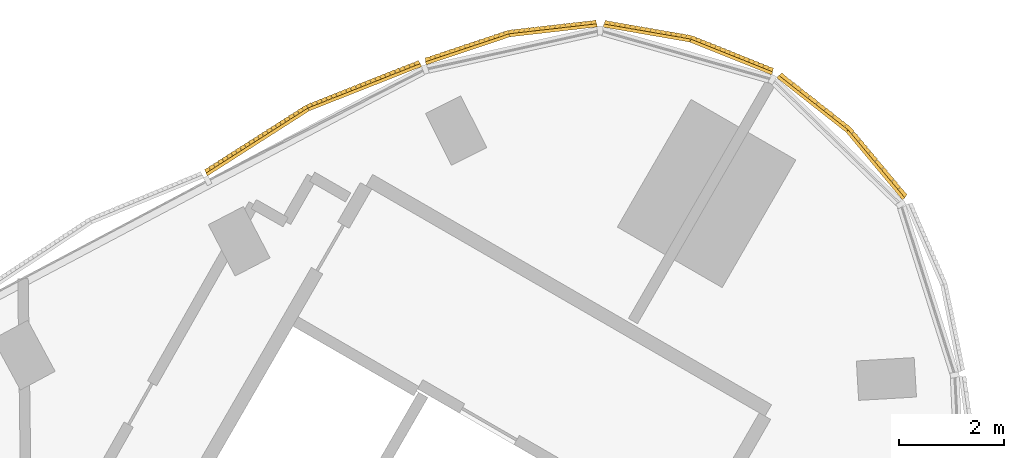
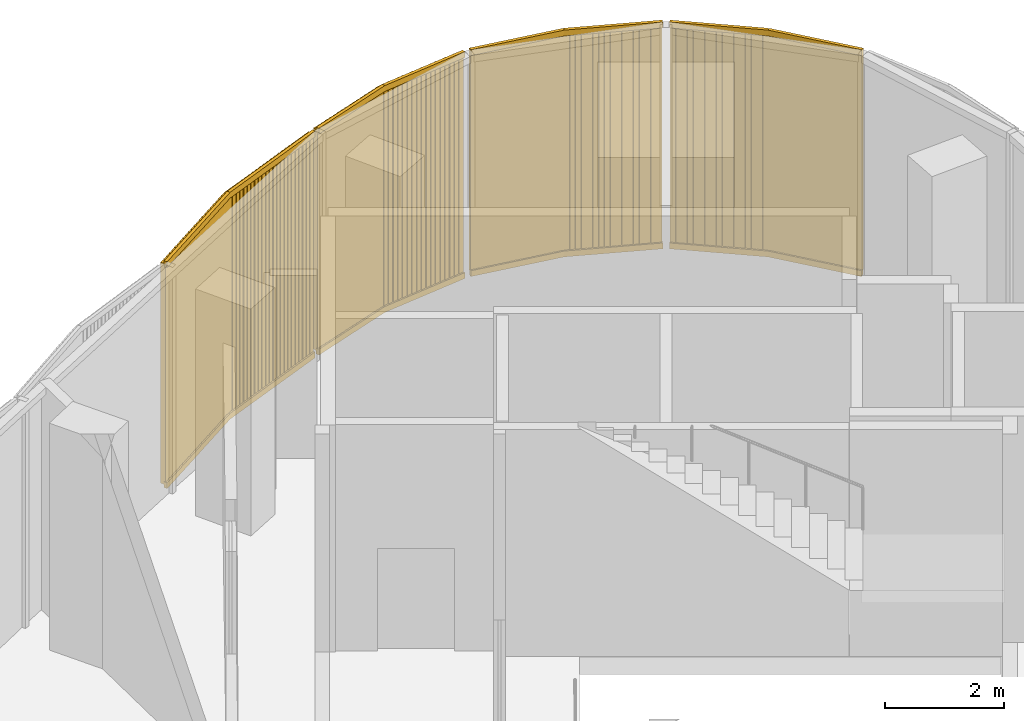
# One storey, part 15 of 15: 4 coverings.
"""IFC4 building model written with IfcOpenShell, lengths in metres."""

from ifc_helpers import new_model, si_unit, direction, frame, frame_2d, origin, place, context, subcontext, project, spatial, rectangle, extrude, source, transform, mapped, material, type_object, element, save


model = new_model("IFC4")

# Units and contexts
model_context = context("Model", 3, precision=1e-05, world=origin(), true_north=direction((0.0, 1.0)))
body_context = subcontext(model_context, "Body", "Model", "MODEL_VIEW")
ifc_project = project(units=[si_unit("LENGTHUNIT", "METRE"), si_unit("AREAUNIT", "SQUARE_METRE"), si_unit("VOLUMEUNIT", "CUBIC_METRE"), si_unit("PLANEANGLEUNIT", "RADIAN"), si_unit("MASSUNIT", "GRAM", prefix="KILO")], contexts=[model_context])

# Site, building, storey
site_placement = place(None, origin())
site = spatial("IfcSite", under=ifc_project, at=site_placement, CompositionType="ELEMENT")
building_placement = place(site_placement, origin())
building = spatial("IfcBuilding", under=site, at=building_placement, Name="Tamra Quay Hotel Tower", CompositionType="ELEMENT")
storey_placement = place(building_placement, frame((0.0, 0.0, 216.39990234375)))
storey = spatial("IfcBuildingStorey", under=building, at=storey_placement, Name="L54", CompositionType="ELEMENT", Elevation=216.39990234375)

# Coverings
ifc_material = material(Name="Terracotta baguette extruded", Category="masonry")
covering_type_1 = type_object("IfcCoveringType", Name="BAGUETTE SCREEN CORNER-SHALLOW H4650", PredefinedType="USERDEFINED", material=ifc_material)
shared_shape_1 = source(origin(), body_context, "Body", "SweptSolid", [
    extrude(rectangle(XDim=1.671630859375, YDim=0.06005859375, at=frame_2d((0.8359375, 0.030029296875))), frame((-1.668701171875, -0.0576171875, -0.1201171875), z_axis=(0.0, 0.0, 1.0), x_axis=(0.994521895368, -0.104528463268, 0.0)), (0.0, 0.0, 1.0), 0.1201171875),
    extrude(rectangle(XDim=1.671630859375, YDim=0.06005859375, at=frame_2d((0.8359375, 0.030029296875))), frame((-1.668701171875, -0.0576171875, -4.64990234375), z_axis=(0.0, 0.0, 1.0), x_axis=(0.994521895368, -0.104528463268, 0.0)), (0.0, 0.0, 1.0), 0.1201171875),
    extrude(rectangle(XDim=0.094970703125, YDim=0.10009765625, at=frame_2d((0.04736328125, 0.050048828125))), frame((-1.6611328125, -0.133056640625, -4.590087890625)), (0.0, 0.0, 1.0), 4.530029296875),
    extrude(rectangle(XDim=0.094970703125, YDim=0.10009765625, at=frame_2d((0.04736328125, 0.050048828125))), frame((-1.563232421875, -0.143310546875, -4.590087890625)), (0.0, 0.0, 1.0), 4.530029296875),
    extrude(rectangle(XDim=0.094970703125, YDim=0.10009765625, at=frame_2d((0.04736328125, 0.050048828125))), frame((-1.465576171875, -0.15380859375, -4.590087890625)), (0.0, 0.0, 1.0), 4.530029296875),
    extrude(rectangle(XDim=0.094970703125, YDim=0.10009765625, at=frame_2d((0.04736328125, 0.050048828125))), frame((-1.36767578125, -0.1640625, -4.590087890625)), (0.0, 0.0, 1.0), 4.530029296875),
    extrude(rectangle(XDim=0.094970703125, YDim=0.10009765625, at=frame_2d((0.04736328125, 0.050048828125))), frame((-1.27001953125, -0.17431640625, -4.590087890625)), (0.0, 0.0, 1.0), 4.530029296875),
    extrude(rectangle(XDim=0.094970703125, YDim=0.10009765625, at=frame_2d((0.04736328125, 0.050048828125))), frame((-1.172119140625, -0.1845703125, -4.590087890625)), (0.0, 0.0, 1.0), 4.530029296875),
    extrude(rectangle(XDim=0.094970703125, YDim=0.10009765625, at=frame_2d((0.04736328125, 0.050048828125))), frame((-1.07421875, -0.19482421875, -4.590087890625)), (0.0, 0.0, 1.0), 4.530029296875),
    extrude(rectangle(XDim=0.094970703125, YDim=0.10009765625, at=frame_2d((0.04736328125, 0.050048828125))), frame((-0.9765625, -0.205078125, -4.590087890625)), (0.0, 0.0, 1.0), 4.530029296875),
    extrude(rectangle(XDim=0.094970703125, YDim=0.10009765625, at=frame_2d((0.04736328125, 0.050048828125))), frame((-0.878662109375, -0.21533203125, -4.590087890625)), (0.0, 0.0, 1.0), 4.530029296875),
    extrude(rectangle(XDim=0.094970703125, YDim=0.10009765625, at=frame_2d((0.04736328125, 0.050048828125))), frame((-0.781005859375, -0.2255859375, -4.590087890625)), (0.0, 0.0, 1.0), 4.530029296875),
    extrude(rectangle(XDim=0.094970703125, YDim=0.10009765625, at=frame_2d((0.04736328125, 0.050048828125))), frame((-0.68310546875, -0.23583984375, -4.590087890625)), (0.0, 0.0, 1.0), 4.530029296875),
    extrude(rectangle(XDim=0.094970703125, YDim=0.10009765625, at=frame_2d((0.04736328125, 0.050048828125))), frame((-0.58544921875, -0.24609375, -4.590087890625)), (0.0, 0.0, 1.0), 4.530029296875),
    extrude(rectangle(XDim=0.094970703125, YDim=0.10009765625, at=frame_2d((0.04736328125, 0.050048828125))), frame((-0.487548828125, -0.256591796875, -4.590087890625)), (0.0, 0.0, 1.0), 4.530029296875),
    extrude(rectangle(XDim=0.094970703125, YDim=0.10009765625, at=frame_2d((0.04736328125, 0.050048828125))), frame((-0.389892578125, -0.266845703125, -4.590087890625)), (0.0, 0.0, 1.0), 4.530029296875),
    extrude(rectangle(XDim=0.094970703125, YDim=0.10009765625, at=frame_2d((0.04736328125, 0.050048828125))), frame((-0.2919921875, -0.277099609375, -4.590087890625)), (0.0, 0.0, 1.0), 4.530029296875),
    extrude(rectangle(XDim=0.094970703125, YDim=0.10009765625, at=frame_2d((0.04736328125, 0.050048828125))), frame((-0.194091796875, -0.287353515625, -4.590087890625)), (0.0, 0.0, 1.0), 4.530029296875),
    extrude(rectangle(XDim=0.094970703125, YDim=0.10009765625, at=frame_2d((0.04736328125, 0.050048828125))), frame((-0.096435546875, -0.297607421875, -4.590087890625)), (0.0, 0.0, 1.0), 4.530029296875),
    extrude(rectangle(XDim=1.671630859375, YDim=0.06005859375, at=frame_2d((0.8359375, 0.030029296875))), frame((0.00634765625, -0.232421875, -0.1201171875), z_axis=(0.0, 0.0, 1.0), x_axis=(0.994521895368, 0.104528463268, 0.0)), (0.0, 0.0, 1.0), 0.1201171875),
    extrude(rectangle(XDim=1.671630859375, YDim=0.06005859375, at=frame_2d((0.8359375, 0.030029296875))), frame((0.00634765625, -0.232421875, -4.64990234375), z_axis=(0.0, 0.0, 1.0), x_axis=(0.994521895368, 0.104528463268, 0.0)), (0.0, 0.0, 1.0), 0.1201171875),
    extrude(rectangle(XDim=0.094970703125, YDim=0.10009765625, at=frame_2d((0.04736328125, 0.050048828125))), frame((0.00146484375, -0.297607421875, -4.590087890625)), (0.0, 0.0, 1.0), 4.530029296875),
    extrude(rectangle(XDim=0.094970703125, YDim=0.10009765625, at=frame_2d((0.04736328125, 0.050048828125))), frame((0.09912109375, -0.287353515625, -4.590087890625)), (0.0, 0.0, 1.0), 4.530029296875),
    extrude(rectangle(XDim=0.094970703125, YDim=0.10009765625, at=frame_2d((0.04736328125, 0.050048828125))), frame((0.197021484375, -0.277099609375, -4.590087890625)), (0.0, 0.0, 1.0), 4.530029296875),
    extrude(rectangle(XDim=0.094970703125, YDim=0.10009765625, at=frame_2d((0.04736328125, 0.050048828125))), frame((0.294677734375, -0.266845703125, -4.590087890625)), (0.0, 0.0, 1.0), 4.530029296875),
    extrude(rectangle(XDim=0.094970703125, YDim=0.10009765625, at=frame_2d((0.04736328125, 0.050048828125))), frame((0.392578125, -0.256591796875, -4.590087890625)), (0.0, 0.0, 1.0), 4.530029296875),
    extrude(rectangle(XDim=0.094970703125, YDim=0.10009765625, at=frame_2d((0.04736328125, 0.050048828125))), frame((0.490478515625, -0.24609375, -4.590087890625)), (0.0, 0.0, 1.0), 4.530029296875),
    extrude(rectangle(XDim=0.094970703125, YDim=0.10009765625, at=frame_2d((0.04736328125, 0.050048828125))), frame((0.588134765625, -0.23583984375, -4.590087890625)), (0.0, 0.0, 1.0), 4.530029296875),
    extrude(rectangle(XDim=0.094970703125, YDim=0.10009765625, at=frame_2d((0.04736328125, 0.050048828125))), frame((0.68603515625, -0.2255859375, -4.590087890625)), (0.0, 0.0, 1.0), 4.530029296875),
    extrude(rectangle(XDim=0.094970703125, YDim=0.10009765625, at=frame_2d((0.04736328125, 0.050048828125))), frame((0.78369140625, -0.21533203125, -4.590087890625)), (0.0, 0.0, 1.0), 4.530029296875),
    extrude(rectangle(XDim=0.094970703125, YDim=0.10009765625, at=frame_2d((0.04736328125, 0.050048828125))), frame((0.881591796875, -0.205078125, -4.590087890625)), (0.0, 0.0, 1.0), 4.530029296875),
    extrude(rectangle(XDim=0.094970703125, YDim=0.10009765625, at=frame_2d((0.04736328125, 0.050048828125))), frame((0.979248046875, -0.19482421875, -4.590087890625)), (0.0, 0.0, 1.0), 4.530029296875),
    extrude(rectangle(XDim=0.094970703125, YDim=0.10009765625, at=frame_2d((0.04736328125, 0.050048828125))), frame((1.0771484375, -0.1845703125, -4.590087890625)), (0.0, 0.0, 1.0), 4.530029296875),
    extrude(rectangle(XDim=0.094970703125, YDim=0.10009765625, at=frame_2d((0.04736328125, 0.050048828125))), frame((1.175048828125, -0.17431640625, -4.590087890625)), (0.0, 0.0, 1.0), 4.530029296875),
    extrude(rectangle(XDim=0.094970703125, YDim=0.10009765625, at=frame_2d((0.04736328125, 0.050048828125))), frame((1.272705078125, -0.1640625, -4.590087890625)), (0.0, 0.0, 1.0), 4.530029296875),
    extrude(rectangle(XDim=0.094970703125, YDim=0.10009765625, at=frame_2d((0.04736328125, 0.050048828125))), frame((1.37060546875, -0.15380859375, -4.590087890625)), (0.0, 0.0, 1.0), 4.530029296875),
    extrude(rectangle(XDim=0.094970703125, YDim=0.10009765625, at=frame_2d((0.04736328125, 0.050048828125))), frame((1.46826171875, -0.143310546875, -4.590087890625)), (0.0, 0.0, 1.0), 4.530029296875),
    extrude(rectangle(XDim=0.094970703125, YDim=0.10009765625, at=frame_2d((0.04736328125, 0.050048828125))), frame((1.566162109375, -0.133056640625, -4.590087890625)), (0.0, 0.0, 1.0), 4.530029296875),
])
for number, where, z_axis, x_axis, name in (
    (1, (15.23779296875, 23.054443359375, 4.650146484375), (0.0, 0.0, 1.0), (-0.717364100925, 0.696698461821, 0.0), "Baguette screen L54.E.c09"),
    (2, (12.346923828125, 24.7236328125, 4.650146484375), (0.0, 0.0, 1.0), (-0.962040617177, 0.272906304254, 0.0), "Baguette screen L54.E.c10"),
    (3, (9.010009765625, 24.8212890625, 4.650146484375), (0.0, 0.0, 1.0), (-0.976340739392, -0.216237740934, 0.0), "Baguette screen L54.E.c11"),
):
    element("IfcCovering", number, at=place(storey_placement, frame(where, z_axis=z_axis, x_axis=x_axis)), inside=storey, type_object=covering_type_1, Name=name, ObjectType="BAGUETTE SCREEN", PredefinedType="USERDEFINED", context=body_context, shape_type="MappedRepresentation", body=[
        mapped(shared_shape_1, transform((0.0, 0.0, 0.0), scale=1.0)),
    ])
covering_type_2 = type_object("IfcCoveringType", Name="BAGUETTE SCREEN NW-SHALLOW H4650", PredefinedType="USERDEFINED", material=ifc_material)
shared_shape_2 = source(origin(), body_context, "Body", "SweptSolid", [
    extrude(rectangle(XDim=2.29296875, YDim=0.06005859375, at=frame_2d((1.146484375, 0.030029296875))), frame((-2.288330078125, -0.0576171875, -0.1201171875), z_axis=(0.0, 0.0, 1.0), x_axis=(0.995396198367, -0.09584575252, 0.0)), (0.0, 0.0, 1.0), 0.1201171875),
    extrude(rectangle(XDim=2.29296875, YDim=0.06005859375, at=frame_2d((1.146484375, 0.030029296875))), frame((-2.288330078125, -0.0576171875, -4.64990234375), z_axis=(0.0, 0.0, 1.0), x_axis=(0.995396198367, -0.09584575252, 0.0)), (0.0, 0.0, 1.0), 0.1201171875),
    extrude(rectangle(XDim=0.094970703125, YDim=0.10009765625, at=frame_2d((0.04736328125, 0.050048828125))), frame((-2.2802734375, -0.1328125, -4.590087890625)), (0.0, 0.0, 1.0), 4.530029296875),
    extrude(rectangle(XDim=0.094970703125, YDim=0.10009765625, at=frame_2d((0.04736328125, 0.050048828125))), frame((-2.18115234375, -0.142333984375, -4.590087890625)), (0.0, 0.0, 1.0), 4.530029296875),
    extrude(rectangle(XDim=0.094970703125, YDim=0.10009765625, at=frame_2d((0.04736328125, 0.050048828125))), frame((-2.081787109375, -0.15185546875, -4.590087890625)), (0.0, 0.0, 1.0), 4.530029296875),
    extrude(rectangle(XDim=0.094970703125, YDim=0.10009765625, at=frame_2d((0.04736328125, 0.050048828125))), frame((-1.982666015625, -0.161376953125, -4.590087890625)), (0.0, 0.0, 1.0), 4.530029296875),
    extrude(rectangle(XDim=0.094970703125, YDim=0.10009765625, at=frame_2d((0.04736328125, 0.050048828125))), frame((-1.88330078125, -0.1708984375, -4.590087890625)), (0.0, 0.0, 1.0), 4.530029296875),
    extrude(rectangle(XDim=0.094970703125, YDim=0.10009765625, at=frame_2d((0.04736328125, 0.050048828125))), frame((-1.7841796875, -0.1806640625, -4.590087890625)), (0.0, 0.0, 1.0), 4.530029296875),
    extrude(rectangle(XDim=0.094970703125, YDim=0.10009765625, at=frame_2d((0.04736328125, 0.050048828125))), frame((-1.68505859375, -0.190185546875, -4.590087890625)), (0.0, 0.0, 1.0), 4.530029296875),
    extrude(rectangle(XDim=0.094970703125, YDim=0.10009765625, at=frame_2d((0.04736328125, 0.050048828125))), frame((-1.585693359375, -0.19970703125, -4.590087890625)), (0.0, 0.0, 1.0), 4.530029296875),
    extrude(rectangle(XDim=0.094970703125, YDim=0.10009765625, at=frame_2d((0.04736328125, 0.050048828125))), frame((-1.486572265625, -0.209228515625, -4.590087890625)), (0.0, 0.0, 1.0), 4.530029296875),
    extrude(rectangle(XDim=0.094970703125, YDim=0.10009765625, at=frame_2d((0.04736328125, 0.050048828125))), frame((-1.38720703125, -0.21875, -4.590087890625)), (0.0, 0.0, 1.0), 4.530029296875),
    extrude(rectangle(XDim=0.094970703125, YDim=0.10009765625, at=frame_2d((0.04736328125, 0.050048828125))), frame((-1.2880859375, -0.228271484375, -4.590087890625)), (0.0, 0.0, 1.0), 4.530029296875),
    extrude(rectangle(XDim=0.094970703125, YDim=0.10009765625, at=frame_2d((0.04736328125, 0.050048828125))), frame((-1.188720703125, -0.23779296875, -4.590087890625)), (0.0, 0.0, 1.0), 4.530029296875),
    extrude(rectangle(XDim=0.094970703125, YDim=0.10009765625, at=frame_2d((0.04736328125, 0.050048828125))), frame((-1.089599609375, -0.24755859375, -4.590087890625)), (0.0, 0.0, 1.0), 4.530029296875),
    extrude(rectangle(XDim=0.094970703125, YDim=0.10009765625, at=frame_2d((0.04736328125, 0.050048828125))), frame((-0.990234375, -0.257080078125, -4.590087890625)), (0.0, 0.0, 1.0), 4.530029296875),
    extrude(rectangle(XDim=0.094970703125, YDim=0.10009765625, at=frame_2d((0.04736328125, 0.050048828125))), frame((-0.89111328125, -0.2666015625, -4.590087890625)), (0.0, 0.0, 1.0), 4.530029296875),
    extrude(rectangle(XDim=0.094970703125, YDim=0.10009765625, at=frame_2d((0.04736328125, 0.050048828125))), frame((-0.791748046875, -0.276123046875, -4.590087890625)), (0.0, 0.0, 1.0), 4.530029296875),
    extrude(rectangle(XDim=0.094970703125, YDim=0.10009765625, at=frame_2d((0.04736328125, 0.050048828125))), frame((-0.692626953125, -0.28564453125, -4.590087890625)), (0.0, 0.0, 1.0), 4.530029296875),
    extrude(rectangle(XDim=0.094970703125, YDim=0.10009765625, at=frame_2d((0.04736328125, 0.050048828125))), frame((-0.59326171875, -0.295166015625, -4.590087890625)), (0.0, 0.0, 1.0), 4.530029296875),
    extrude(rectangle(XDim=0.094970703125, YDim=0.10009765625, at=frame_2d((0.04736328125, 0.050048828125))), frame((-0.494140625, -0.3046875, -4.590087890625)), (0.0, 0.0, 1.0), 4.530029296875),
    extrude(rectangle(XDim=0.094970703125, YDim=0.10009765625, at=frame_2d((0.04736328125, 0.050048828125))), frame((-0.394775390625, -0.314453125, -4.590087890625)), (0.0, 0.0, 1.0), 4.530029296875),
    extrude(rectangle(XDim=0.094970703125, YDim=0.10009765625, at=frame_2d((0.04736328125, 0.050048828125))), frame((-0.295654296875, -0.323974609375, -4.590087890625)), (0.0, 0.0, 1.0), 4.530029296875),
    extrude(rectangle(XDim=0.094970703125, YDim=0.10009765625, at=frame_2d((0.04736328125, 0.050048828125))), frame((-0.1962890625, -0.33349609375, -4.590087890625)), (0.0, 0.0, 1.0), 4.530029296875),
    extrude(rectangle(XDim=0.094970703125, YDim=0.10009765625, at=frame_2d((0.04736328125, 0.050048828125))), frame((-0.09716796875, -0.343017578125, -4.590087890625)), (0.0, 0.0, 1.0), 4.530029296875),
    extrude(rectangle(XDim=2.29296875, YDim=0.06005859375, at=frame_2d((1.146484375, 0.030029296875))), frame((0.005859375, -0.277587890625, -0.1201171875), z_axis=(0.0, 0.0, 1.0), x_axis=(0.995396198367, 0.09584575252, 0.0)), (0.0, 0.0, 1.0), 0.1201171875),
    extrude(rectangle(XDim=2.29296875, YDim=0.06005859375, at=frame_2d((1.146484375, 0.030029296875))), frame((0.005859375, -0.277587890625, -4.64990234375), z_axis=(0.0, 0.0, 1.0), x_axis=(0.995396198367, 0.09584575252, 0.0)), (0.0, 0.0, 1.0), 0.1201171875),
    extrude(rectangle(XDim=0.094970703125, YDim=0.10009765625, at=frame_2d((0.04736328125, 0.050048828125))), frame((0.002197265625, -0.343017578125, -4.590087890625)), (0.0, 0.0, 1.0), 4.530029296875),
    extrude(rectangle(XDim=0.094970703125, YDim=0.10009765625, at=frame_2d((0.04736328125, 0.050048828125))), frame((0.101318359375, -0.33349609375, -4.590087890625)), (0.0, 0.0, 1.0), 4.530029296875),
    extrude(rectangle(XDim=0.094970703125, YDim=0.10009765625, at=frame_2d((0.04736328125, 0.050048828125))), frame((0.20068359375, -0.323974609375, -4.590087890625)), (0.0, 0.0, 1.0), 4.530029296875),
    extrude(rectangle(XDim=0.094970703125, YDim=0.10009765625, at=frame_2d((0.04736328125, 0.050048828125))), frame((0.2998046875, -0.314453125, -4.590087890625)), (0.0, 0.0, 1.0), 4.530029296875),
    extrude(rectangle(XDim=0.094970703125, YDim=0.10009765625, at=frame_2d((0.04736328125, 0.050048828125))), frame((0.399169921875, -0.3046875, -4.590087890625)), (0.0, 0.0, 1.0), 4.530029296875),
    extrude(rectangle(XDim=0.094970703125, YDim=0.10009765625, at=frame_2d((0.04736328125, 0.050048828125))), frame((0.498291015625, -0.295166015625, -4.590087890625)), (0.0, 0.0, 1.0), 4.530029296875),
    extrude(rectangle(XDim=0.094970703125, YDim=0.10009765625, at=frame_2d((0.04736328125, 0.050048828125))), frame((0.59765625, -0.28564453125, -4.590087890625)), (0.0, 0.0, 1.0), 4.530029296875),
    extrude(rectangle(XDim=0.094970703125, YDim=0.10009765625, at=frame_2d((0.04736328125, 0.050048828125))), frame((0.69677734375, -0.276123046875, -4.590087890625)), (0.0, 0.0, 1.0), 4.530029296875),
    extrude(rectangle(XDim=0.094970703125, YDim=0.10009765625, at=frame_2d((0.04736328125, 0.050048828125))), frame((0.796142578125, -0.2666015625, -4.590087890625)), (0.0, 0.0, 1.0), 4.530029296875),
    extrude(rectangle(XDim=0.094970703125, YDim=0.10009765625, at=frame_2d((0.04736328125, 0.050048828125))), frame((0.895263671875, -0.257080078125, -4.590087890625)), (0.0, 0.0, 1.0), 4.530029296875),
    extrude(rectangle(XDim=0.094970703125, YDim=0.10009765625, at=frame_2d((0.04736328125, 0.050048828125))), frame((0.99462890625, -0.24755859375, -4.590087890625)), (0.0, 0.0, 1.0), 4.530029296875),
    extrude(rectangle(XDim=0.094970703125, YDim=0.10009765625, at=frame_2d((0.04736328125, 0.050048828125))), frame((1.09375, -0.23779296875, -4.590087890625)), (0.0, 0.0, 1.0), 4.530029296875),
    extrude(rectangle(XDim=0.094970703125, YDim=0.10009765625, at=frame_2d((0.04736328125, 0.050048828125))), frame((1.19287109375, -0.228271484375, -4.590087890625)), (0.0, 0.0, 1.0), 4.530029296875),
    extrude(rectangle(XDim=0.094970703125, YDim=0.10009765625, at=frame_2d((0.04736328125, 0.050048828125))), frame((1.292236328125, -0.21875, -4.590087890625)), (0.0, 0.0, 1.0), 4.530029296875),
    extrude(rectangle(XDim=0.094970703125, YDim=0.10009765625, at=frame_2d((0.04736328125, 0.050048828125))), frame((1.391357421875, -0.209228515625, -4.590087890625)), (0.0, 0.0, 1.0), 4.530029296875),
    extrude(rectangle(XDim=0.094970703125, YDim=0.10009765625, at=frame_2d((0.04736328125, 0.050048828125))), frame((1.49072265625, -0.19970703125, -4.590087890625)), (0.0, 0.0, 1.0), 4.530029296875),
    extrude(rectangle(XDim=0.094970703125, YDim=0.10009765625, at=frame_2d((0.04736328125, 0.050048828125))), frame((1.58984375, -0.190185546875, -4.590087890625)), (0.0, 0.0, 1.0), 4.530029296875),
    extrude(rectangle(XDim=0.094970703125, YDim=0.10009765625, at=frame_2d((0.04736328125, 0.050048828125))), frame((1.689208984375, -0.1806640625, -4.590087890625)), (0.0, 0.0, 1.0), 4.530029296875),
    extrude(rectangle(XDim=0.094970703125, YDim=0.10009765625, at=frame_2d((0.04736328125, 0.050048828125))), frame((1.788330078125, -0.1708984375, -4.590087890625)), (0.0, 0.0, 1.0), 4.530029296875),
    extrude(rectangle(XDim=0.094970703125, YDim=0.10009765625, at=frame_2d((0.04736328125, 0.050048828125))), frame((1.8876953125, -0.161376953125, -4.590087890625)), (0.0, 0.0, 1.0), 4.530029296875),
    extrude(rectangle(XDim=0.094970703125, YDim=0.10009765625, at=frame_2d((0.04736328125, 0.050048828125))), frame((1.98681640625, -0.15185546875, -4.590087890625)), (0.0, 0.0, 1.0), 4.530029296875),
    extrude(rectangle(XDim=0.094970703125, YDim=0.10009765625, at=frame_2d((0.04736328125, 0.050048828125))), frame((2.086181640625, -0.142333984375, -4.590087890625)), (0.0, 0.0, 1.0), 4.530029296875),
    extrude(rectangle(XDim=0.094970703125, YDim=0.10009765625, at=frame_2d((0.04736328125, 0.050048828125))), frame((2.185302734375, -0.1328125, -4.590087890625)), (0.0, 0.0, 1.0), 4.530029296875),
])
covering_placement = place(storey_placement, frame((5.261962890625, 23.39013671875, 4.650146484375), z_axis=(0.0, 0.0, 1.0), x_axis=(-0.89058226205, -0.454822201, 0.0)))
element("IfcCovering", 4, at=covering_placement, inside=storey, type_object=covering_type_2, Name="Baguette screen L54.NW.f00", ObjectType="BAGUETTE SCREEN", PredefinedType="USERDEFINED", context=body_context, shape_type="MappedRepresentation", body=[
    mapped(shared_shape_2, transform((0.0, 0.0, 0.0), scale=1.0)),
])

save(model, "model.ifc")
